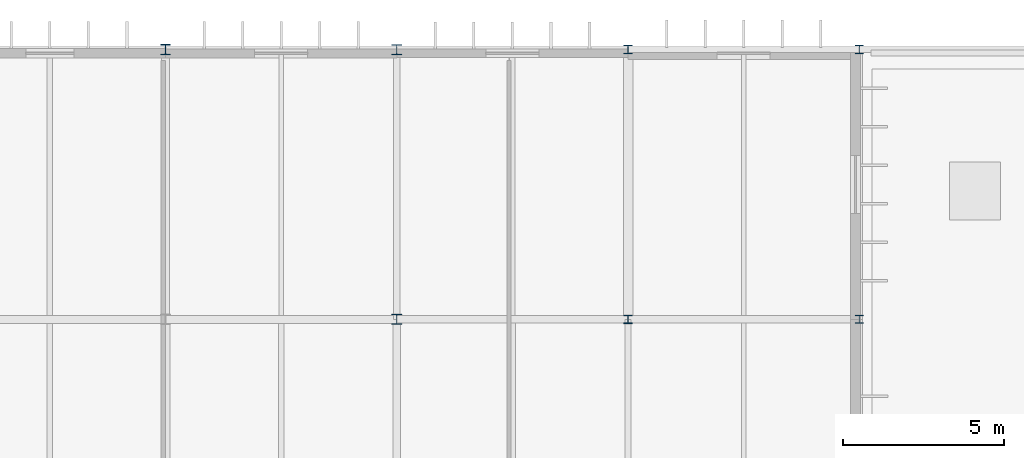
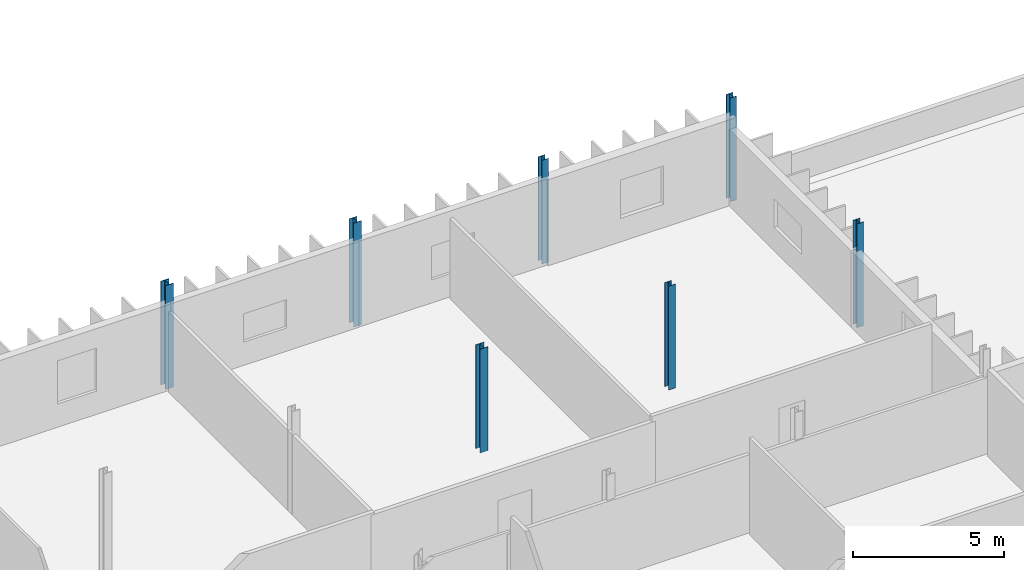
# One storey, part 14 of 99: 7 columns.
"""IFC4 building model written with IfcOpenShell, lengths in metres."""

from ifc_helpers import new_model, si_unit, direction, frame, origin, origin_2d, place, context, subcontext, project, spatial, i_section, extrude, material, material_profile, profile_set, type_object, element, save


model = new_model("IFC4")

# Units and contexts
model_context = context("Model", 3, precision=1e-05, world=origin(), true_north=direction((0.0, 1.0)))
body_context = subcontext(model_context, "Body", "Model", "MODEL_VIEW")
ifc_project = project(units=[si_unit("LENGTHUNIT", "METRE"), si_unit("AREAUNIT", "SQUARE_METRE"), si_unit("VOLUMEUNIT", "CUBIC_METRE"), si_unit("PLANEANGLEUNIT", "RADIAN"), si_unit("MASSUNIT", "GRAM", prefix="KILO")], contexts=[model_context])

# Site, building, storey
site_placement = place(None, origin())
site = spatial("IfcSite", under=ifc_project, at=site_placement, CompositionType="ELEMENT")
building_placement = place(site_placement, origin())
building = spatial("IfcBuilding", under=site, at=building_placement, Name="Qelthora Terrace Specialist Clinic", CompositionType="ELEMENT")
storey_placement = place(building_placement, frame((0.0, 0.0, 9.0)))
storey = spatial("IfcBuildingStorey", under=building, at=storey_placement, Name="L02", CompositionType="ELEMENT", Elevation=9.0)

# Columns
ifc_material = material(Name="Steel S355", Category="steel")
ifc_material_profile_1 = material_profile(ifc_material, i_section(OverallWidth=0.25390625, OverallDepth=0.2529296875, WebThickness=0.008544921875, FlangeThickness=0.01416015625, FilletRadius=0.012939453125, at=origin_2d()), Name="W250X73")
ifc_profile_set_1 = profile_set([ifc_material_profile_1], Name="Steel S355")
column_type_1 = type_object("IfcColumnType", Name="COL-W250X73", PredefinedType="COLUMN", material=ifc_profile_set_1)
column_1_placement = place(storey_placement, frame((122.39990234375, 109.199951171875, 0.0), z_axis=(0.0, 0.0, 1.0), x_axis=(1.0, 0.0, 0.0)))
element("IfcColumn", 1, at=column_1_placement, inside=storey, type_object=column_type_1, Name="Column L02-206", PredefinedType="COLUMN", context=body_context, shape_type="SweptSolid", body=[
    extrude(i_section(OverallWidth=0.25390625, OverallDepth=0.2529296875, WebThickness=0.008544921875, FlangeThickness=0.01416015625, FilletRadius=0.012939453125, at=origin_2d()), origin(), (0.0, 0.0, 1.0), 4.199951171875),
])
ifc_material_profile_2 = material_profile(ifc_material, i_section(OverallWidth=0.2548828125, OverallDepth=0.256103515625, WebThickness=0.009521484375, FlangeThickness=0.015625, FilletRadius=0.012939453125, at=origin_2d()), Name="W250X80")
ifc_profile_set_2 = profile_set([ifc_material_profile_2], Name="Steel S355")
column_type_2 = type_object("IfcColumnType", Name="COL-W250X80", PredefinedType="COLUMN", material=ifc_profile_set_2)
for number, where, z_axis, x_axis, name in (
    (2, (115.199951171875, 109.199951171875, 0.0), (0.0, 0.0, 1.0), (1.0, 0.0, 0.0), "Column L02-197"),
    (3, (122.39990234375, 100.800048828125, 0.0), (0.0, 0.0, 1.0), (1.0, 0.0, 0.0), "Column L02-205"),
):
    element("IfcColumn", number, at=place(storey_placement, frame(where, z_axis=z_axis, x_axis=x_axis)), inside=storey, type_object=column_type_2, Name=name, PredefinedType="COLUMN", context=body_context, shape_type="SweptSolid", body=[
        extrude(i_section(OverallWidth=0.2548828125, OverallDepth=0.256103515625, WebThickness=0.009521484375, FlangeThickness=0.015625, FilletRadius=0.012939453125, at=origin_2d()), origin(), (0.0, 0.0, 1.0), 4.199951171875),
    ])
ifc_material_profile_3 = material_profile(ifc_material, i_section(OverallWidth=0.256103515625, OverallDepth=0.260009765625, WebThickness=0.0107421875, FlangeThickness=0.017333984375, FilletRadius=0.012939453125, at=origin_2d()), Name="W250X89")
ifc_profile_set_3 = profile_set([ifc_material_profile_3], Name="Steel S355")
column_type_3 = type_object("IfcColumnType", Name="COL-W250X89", PredefinedType="COLUMN", material=ifc_profile_set_3)
column_2_placement = place(storey_placement, frame((115.199951171875, 100.800048828125, 0.0), z_axis=(0.0, 0.0, 1.0), x_axis=(1.0, 0.0, 0.0)))
element("IfcColumn", 4, at=column_2_placement, inside=storey, type_object=column_type_3, Name="Column L02-196", PredefinedType="COLUMN", context=body_context, shape_type="SweptSolid", body=[
    extrude(i_section(OverallWidth=0.256103515625, OverallDepth=0.260009765625, WebThickness=0.0107421875, FlangeThickness=0.017333984375, FilletRadius=0.012939453125, at=origin_2d()), origin(), (0.0, 0.0, 1.0), 4.199951171875),
])
ifc_material_profile_4 = material_profile(ifc_material, i_section(OverallWidth=0.305908203125, OverallDepth=0.31103515625, WebThickness=0.010986328125, FlangeThickness=0.01708984375, FilletRadius=0.014892578125, at=origin_2d()), Name="W310X107")
ifc_profile_set_4 = profile_set([ifc_material_profile_4], Name="Steel S355")
column_type_4 = type_object("IfcColumnType", Name="COL-W310X107", PredefinedType="COLUMN", material=ifc_profile_set_4)
column_3_placement = place(storey_placement, frame((108.0, 100.800048828125, 0.0), z_axis=(0.0, 0.0, 1.0), x_axis=(1.0, 0.0, 0.0)))
element("IfcColumn", 5, at=column_3_placement, inside=storey, type_object=column_type_4, Name="Column L02-187", PredefinedType="COLUMN", context=body_context, shape_type="SweptSolid", body=[
    extrude(i_section(OverallWidth=0.305908203125, OverallDepth=0.31103515625, WebThickness=0.010986328125, FlangeThickness=0.01708984375, FilletRadius=0.014892578125, at=origin_2d()), origin(), (0.0, 0.0, 1.0), 4.199951171875),
])
ifc_material_profile_5 = material_profile(ifc_material, i_section(OverallWidth=0.30908203125, OverallDepth=0.322998046875, WebThickness=0.013916015625, FlangeThickness=0.02294921875, FilletRadius=0.01611328125, at=origin_2d()), Name="W310X143")
ifc_profile_set_5 = profile_set([ifc_material_profile_5], Name="Steel S355")
column_type_5 = type_object("IfcColumnType", Name="COL-W310X143", PredefinedType="COLUMN", material=ifc_profile_set_5)
column_4_placement = place(storey_placement, frame((100.800048828125, 109.199951171875, 0.0), z_axis=(0.0, 0.0, 1.0), x_axis=(1.0, 0.0, 0.0)))
element("IfcColumn", 6, at=column_4_placement, inside=storey, type_object=column_type_5, Name="Column L02-174", PredefinedType="COLUMN", context=body_context, shape_type="SweptSolid", body=[
    extrude(i_section(OverallWidth=0.30908203125, OverallDepth=0.322998046875, WebThickness=0.013916015625, FlangeThickness=0.02294921875, FilletRadius=0.01611328125, at=origin_2d()), origin(), (0.0, 0.0, 1.0), 4.199951171875),
])
ifc_material_profile_6 = material_profile(ifc_material, i_section(OverallWidth=0.304931640625, OverallDepth=0.30810546875, WebThickness=0.010009765625, FlangeThickness=0.015380859375, FilletRadius=0.014892578125, at=origin_2d()), Name="W310X97")
ifc_profile_set_6 = profile_set([ifc_material_profile_6], Name="Steel S355")
column_type_6 = type_object("IfcColumnType", Name="COL-W310X97", PredefinedType="COLUMN", material=ifc_profile_set_6)
column_5_placement = place(storey_placement, frame((108.0, 109.199951171875, 0.0), z_axis=(0.0, 0.0, 1.0), x_axis=(1.0, 0.0, 0.0)))
element("IfcColumn", 7, at=column_5_placement, inside=storey, type_object=column_type_6, Name="Column L02-188", PredefinedType="COLUMN", context=body_context, shape_type="SweptSolid", body=[
    extrude(i_section(OverallWidth=0.304931640625, OverallDepth=0.30810546875, WebThickness=0.010009765625, FlangeThickness=0.015380859375, FilletRadius=0.014892578125, at=origin_2d()), origin(), (0.0, 0.0, 1.0), 4.199951171875),
])

save(model, "model.ifc")
